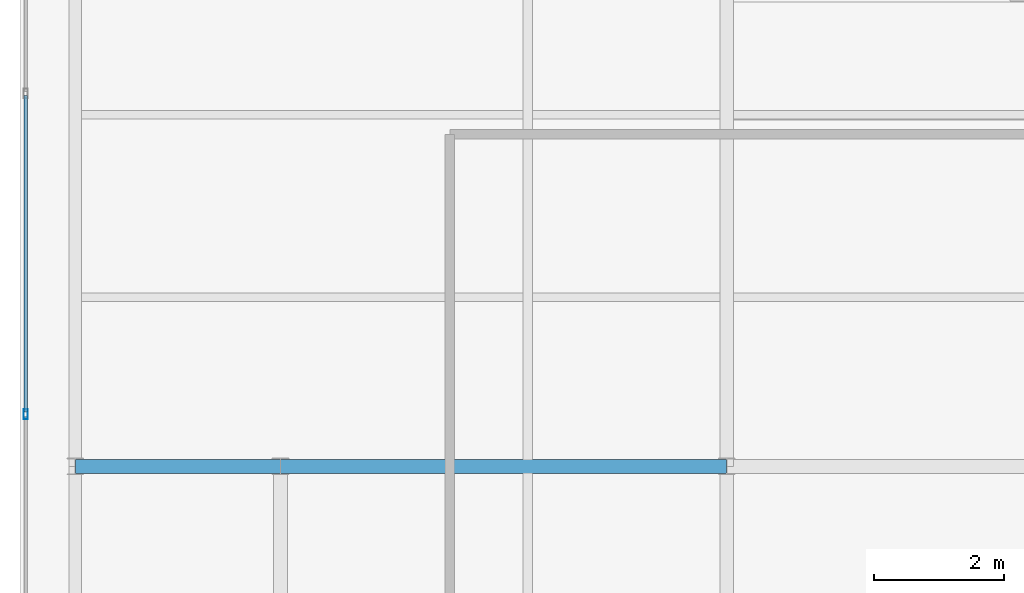
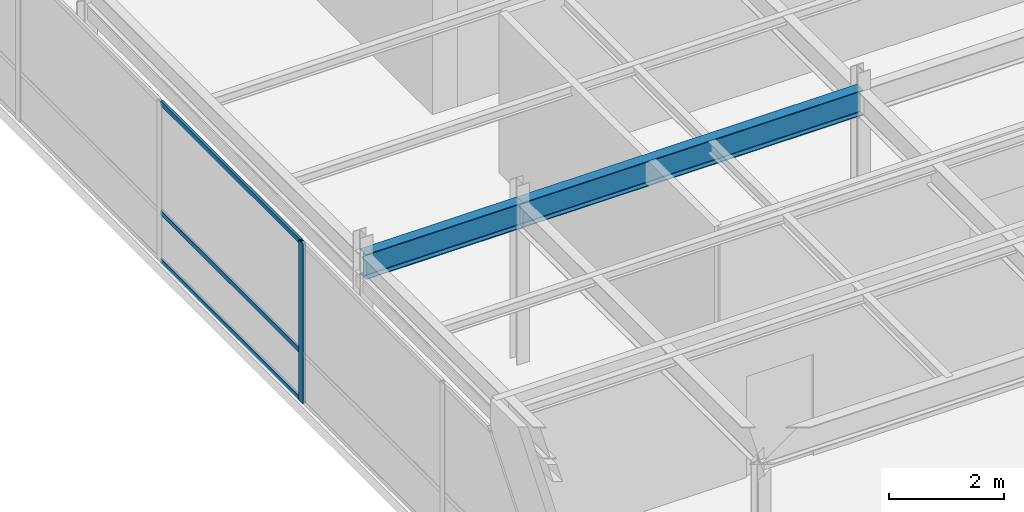
# One storey, part 16 of 35: 4 members, 2 beams, 1 element without a shape of its own.
"""IFC4 building model written with IfcOpenShell, lengths in metres."""

from ifc_helpers import new_model, si_unit, direction, frame, origin, origin_2d, place, context, subcontext, project, spatial, hollow_rectangle, i_section, extrude, source, transform, mapped, material, layer, layer_set, material_profile, profile_set, type_object, type_shapes, element, aggregate, save


model = new_model("IFC4")

# Units and contexts
model_context = context("Model", 3, precision=1e-05, world=origin(), true_north=direction((0.0, 1.0)))
body_context = subcontext(model_context, "Body", "Model", "MODEL_VIEW")
ifc_project = project(units=[si_unit("LENGTHUNIT", "METRE"), si_unit("AREAUNIT", "SQUARE_METRE"), si_unit("VOLUMEUNIT", "CUBIC_METRE"), si_unit("PLANEANGLEUNIT", "RADIAN"), si_unit("MASSUNIT", "GRAM", prefix="KILO")], contexts=[model_context])

# Site, building, storey
site_placement = place(None, origin())
site = spatial("IfcSite", under=ifc_project, at=site_placement, CompositionType="ELEMENT")
building_placement = place(site_placement, origin())
building = spatial("IfcBuilding", under=site, at=building_placement, Name="Tolvann Quenvar Hotel", CompositionType="ELEMENT")
storey_placement = place(building_placement, frame((0.0, 0.0, 309.949951171875)))
storey = spatial("IfcBuildingStorey", under=building, at=storey_placement, Name="L82", CompositionType="ELEMENT", Elevation=309.949951171875)

# Beams
ifc_material_1 = material(Name="Steel Grade 350", Category="steel")
ifc_material_profile_1 = material_profile(ifc_material_1, i_section(OverallWidth=0.208984375, OverallDepth=0.532958984375, WebThickness=0.01025390625, FlangeThickness=0.015625, FilletRadius=0.013916015625, at=origin_2d()), Name="530UB92")
ifc_profile_set_1 = profile_set([ifc_material_profile_1], Name="Steel Grade 350")
beam_type = type_object("IfcBeamType", Name="BM_GIRD_530UB92", PredefinedType="BEAM", material=ifc_profile_set_1)
shared_shape_1 = source(origin(), body_context, "Body", "SweptSolid", [
    extrude(i_section(OverallWidth=0.208984375, OverallDepth=0.532958984375, WebThickness=0.01025390625, FlangeThickness=0.015625, FilletRadius=0.013916015625, at=origin_2d()), origin(), (0.0, 0.0, 1.0), 6.849853515625),
])
beam_1_placement = place(storey_placement, frame((7.60009765625, 24.39990234375, 3.133544921875), z_axis=(1.0, 0.0, 0.0), x_axis=(0.0, 1.0, 0.0)))
element("IfcBeam", 1, at=beam_1_placement, inside=storey, type_object=beam_type, Name="BM-L82-EW-5-C5-D5", PredefinedType="BEAM", context=body_context, shape_type="MappedRepresentation", body=[
    mapped(shared_shape_1, transform((0.0, 0.0, 0.0), x_axis=(1.0, 0.0, 0.0), y_axis=(0.0, 1.0, 0.0), z_axis=(0.0, 0.0, 1.0), scale=1.0)),
])
shared_shape_2 = source(origin(), body_context, "Body", "SweptSolid", [
    extrude(i_section(OverallWidth=0.208984375, OverallDepth=0.532958984375, WebThickness=0.01025390625, FlangeThickness=0.015625, FilletRadius=0.013916015625, at=origin_2d()), origin(), (0.0, 0.0, 1.0), 3.150146484375),
])
type_shapes(beam_type, [shared_shape_1, shared_shape_2])
beam_2_placement = place(storey_placement, frame((4.449951171875, 24.39990234375, 3.133544921875), z_axis=(1.0, 0.0, 0.0), x_axis=(0.0, 1.0, 0.0)))
element("IfcBeam", 2, at=beam_2_placement, inside=storey, type_object=beam_type, Name="BM-L82-EW-5-B5-C5", PredefinedType="BEAM", context=body_context, shape_type="MappedRepresentation", body=[
    mapped(shared_shape_2, transform((0.0, 0.0, 0.0), x_axis=(1.0, 0.0, 0.0), y_axis=(0.0, 1.0, 0.0), z_axis=(0.0, 0.0, 1.0), scale=1.0)),
])

# Curtain wall, members
ifc_material_2 = material(Name="Thermally broken anodised architectural aluminium 6063-T6 and laminated low-E glass", Category="aluminium")
ifc_layer = layer(ifc_material_2, 0.179931640625)
ifc_layer_set = layer_set([ifc_layer], Name="Thermally broken anodised architectural aluminium 6063-T6 and laminated low-E glass")
curtain_wall_type = type_object("IfcCurtainWallType", Name="CW_SYS_LANT_06", PredefinedType="USERDEFINED", material=ifc_layer_set)
curtain_wall_placement = place(storey_placement, origin())
curtain_wall = element("IfcCurtainWall", 3, at=curtain_wall_placement, inside=storey, type_object=curtain_wall_type, Name="Curtain Wall CW-LANT-06 (CWR-L82-E19)", ObjectType="UNITISED CURTAIN WALL", PredefinedType="USERDEFINED")
ifc_material_3 = material(Name="Anodised architectural aluminium 6063-T6 framing", Category="aluminium")
ifc_material_profile_2 = material_profile(ifc_material_3, hollow_rectangle(XDim=0.050048828125, YDim=0.10009765625, WallThickness=0.0029296875, at=origin_2d()), Name="100x50x3RHS")
ifc_profile_set_2 = profile_set([ifc_material_profile_2], Name="Anodised architectural aluminium 6063-T6 framing")
member_type_1 = type_object("IfcMemberType", Name="CW_TRAN_100x50", PredefinedType="USERDEFINED", material=ifc_profile_set_2)
shared_shape_3 = source(origin(), body_context, "Body", "SweptSolid", [
    extrude(hollow_rectangle(XDim=0.050048828125, YDim=0.10009765625, WallThickness=0.0029296875, at=origin_2d()), origin(), (0.0, 0.0, 1.0), 4.86279296875),
])
type_shapes(member_type_1, [shared_shape_3])
member_1_placement = place(storey_placement, frame((3.68994140625, 30.09521484375, 0.025146484375), z_axis=(0.0, -1.0, 0.0), x_axis=(1.0, 0.0, 0.0)))
member_1 = element("IfcMember", 4, at=member_1_placement, type_object=member_type_1, Name="CW-LANT-06 transom 3.1", ObjectType="TRANSOM", PredefinedType="USERDEFINED", context=body_context, shape_type="MappedRepresentation", body=[
    mapped(shared_shape_3, transform((0.0, 0.0, 0.0), x_axis=(1.0, 0.0, 0.0), y_axis=(0.0, 1.0, 0.0), z_axis=(0.0, 0.0, 1.0), scale=1.0)),
])
member_2_placement = place(storey_placement, frame((3.68994140625, 30.09521484375, 1.050048828125), z_axis=(0.0, -1.0, 0.0), x_axis=(1.0, 0.0, 0.0)))
member_2 = element("IfcMember", 5, at=member_2_placement, type_object=member_type_1, Name="CW-LANT-06 transom 3.2", ObjectType="TRANSOM", PredefinedType="USERDEFINED", context=body_context, shape_type="MappedRepresentation", body=[
    mapped(shared_shape_3, transform((0.0, 0.0, 0.0), x_axis=(1.0, 0.0, 0.0), y_axis=(0.0, 1.0, 0.0), z_axis=(0.0, 0.0, 1.0), scale=1.0)),
])
member_3_placement = place(storey_placement, frame((3.68994140625, 30.09521484375, 3.375), z_axis=(0.0, -1.0, 0.0), x_axis=(1.0, 0.0, 0.0)))
member_3 = element("IfcMember", 6, at=member_3_placement, type_object=member_type_1, Name="CW-LANT-06 transom 3.3", ObjectType="TRANSOM", PredefinedType="USERDEFINED", context=body_context, shape_type="MappedRepresentation", body=[
    mapped(shared_shape_3, transform((0.0, 0.0, 0.0), x_axis=(1.0, 0.0, 0.0), y_axis=(0.0, 1.0, 0.0), z_axis=(0.0, 0.0, 1.0), scale=1.0)),
])
ifc_material_profile_3 = material_profile(ifc_material_3, hollow_rectangle(XDim=0.06494140625, YDim=0.14990234375, WallThickness=0.00390625, at=origin_2d()), Name="150x65x4RHS")
ifc_profile_set_3 = profile_set([ifc_material_profile_3], Name="Anodised architectural aluminium 6063-T6 framing")
member_type_2 = type_object("IfcMemberType", Name="CW_MULL_150x65", PredefinedType="MULLION", material=ifc_profile_set_3)
shared_shape_4 = source(origin(), body_context, "Body", "SweptSolid", [
    extrude(hollow_rectangle(XDim=0.06494140625, YDim=0.14990234375, WallThickness=0.00390625, at=origin_2d()), origin(), (0.0, 0.0, 1.0), 3.400146484375),
])
type_shapes(member_type_2, [shared_shape_4])
member_4_placement = place(storey_placement, frame((3.68994140625, 25.199951171875, 0.0), z_axis=(0.0, 0.0, 1.0), x_axis=(1.0, 0.0, 0.0)))
member_4 = element("IfcMember", 7, at=member_4_placement, type_object=member_type_2, Name="CW-LANT-06 mullion 4", PredefinedType="MULLION", context=body_context, shape_type="MappedRepresentation", body=[
    mapped(shared_shape_4, transform((0.0, 0.0, 0.0), x_axis=(1.0, 0.0, 0.0), y_axis=(0.0, 1.0, 0.0), z_axis=(0.0, 0.0, 1.0), scale=1.0)),
])
aggregate(curtain_wall, [member_4, member_1, member_2, member_3])

save(model, "model.ifc")
